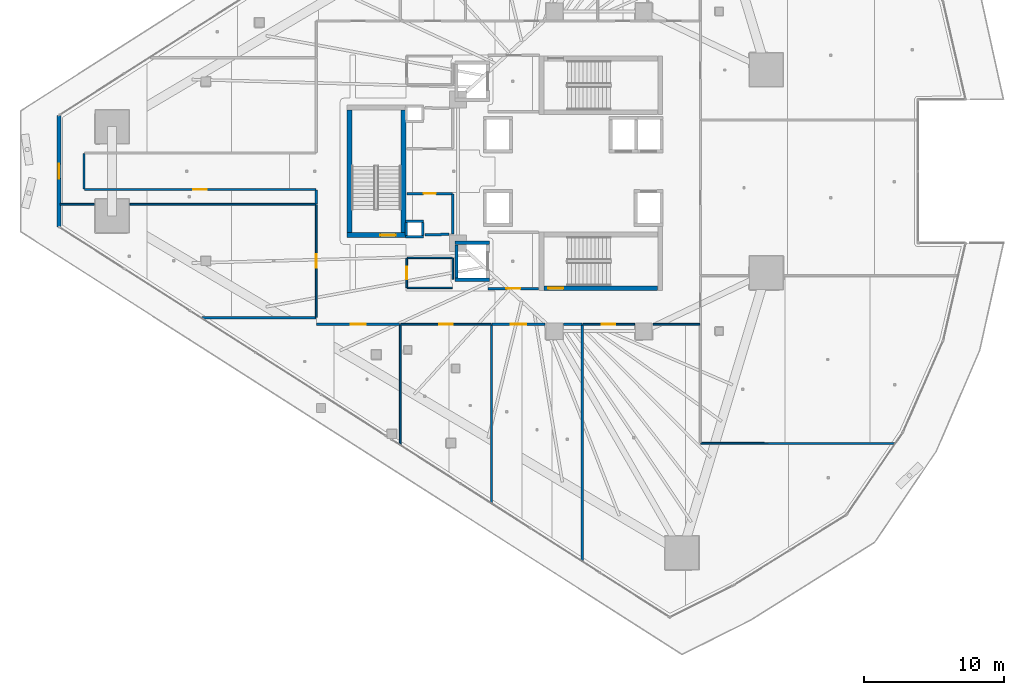
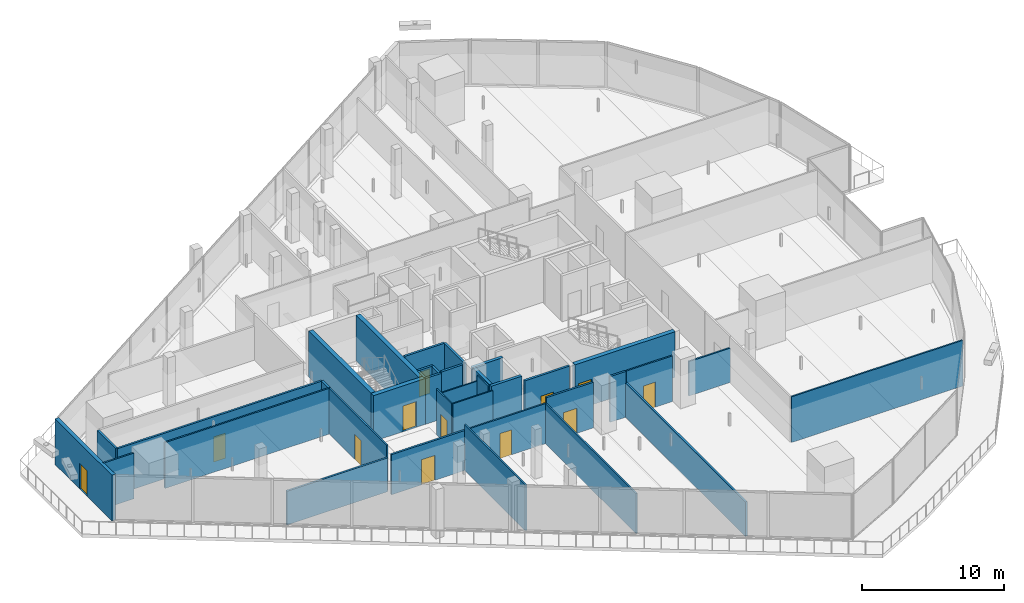
# One storey, part 30 of 46: 37 walls, 12 doors, 12 openings.
"""IFC4 building model written with IfcOpenShell, lengths in metres."""

from ifc_helpers import new_model, si_unit, direction, frame, frame_2d, origin, place, context, subcontext, project, spatial, rectangle, extrude, material, layer, layer_set, type_object, element, fill, save


model = new_model("IFC4")

# Units and contexts
model_context = context("Model", 3, precision=1e-05, world=origin(), true_north=direction((0.0, 1.0)))
body_context = subcontext(model_context, "Body", "Model", "MODEL_VIEW")
ifc_project = project(units=[si_unit("LENGTHUNIT", "METRE"), si_unit("AREAUNIT", "SQUARE_METRE"), si_unit("VOLUMEUNIT", "CUBIC_METRE"), si_unit("PLANEANGLEUNIT", "RADIAN"), si_unit("MASSUNIT", "GRAM", prefix="KILO")], contexts=[model_context])

# Site, building, storey
site_placement = place(None, origin())
site = spatial("IfcSite", under=ifc_project, at=site_placement, CompositionType="ELEMENT")
building_placement = place(site_placement, origin())
building = spatial("IfcBuilding", under=site, at=building_placement, Name="Qorvath Tower", CompositionType="ELEMENT")
storey_placement = place(building_placement, frame((0.0, 0.0, 87.0)))
storey = spatial("IfcBuildingStorey", under=building, at=storey_placement, Name="L19", CompositionType="ELEMENT", Elevation=87.0)

# Walls
ifc_material_1 = material(Name="Gypsum shaftliner on steel studs", Category="steel")
ifc_layer_1 = layer(ifc_material_1, 0.179931640625)
ifc_layer_set_1 = layer_set([ifc_layer_1], Name="FW-LOBBY")
wall_type_1 = type_object("IfcWallType", Name="FW-LOBBY", PredefinedType="PARTITIONING", material=ifc_layer_set_1)
for number, where, z_axis, x_axis, name in (
    (1, (-32.989990234375, -4.675048828125, 0.0), (0.0, 0.0, 1.0), (-1.0, 0.0, 0.0), "MEP Riser Shaft Enclosure Wall S-L19-S"),
    (2, (-34.260009765625, -3.594970703125, 0.0), (0.0, 0.0, 1.0), (1.0, 0.0, 0.0), "MEP Riser Shaft Enclosure Wall S-L19-N"),
):
    element("IfcWall", number, at=place(storey_placement, frame(where, z_axis=z_axis, x_axis=x_axis)), inside=storey, type_object=wall_type_1, Name=name, PredefinedType="PARTITIONING", context=body_context, shape_type="SweptSolid", body=[
        extrude(rectangle(XDim=1.27001953125, YDim=0.179931640625, at=frame_2d((0.635009765625, 0.0))), origin(), (0.0, 0.0, 1.0), 3.919921875),
    ])
for number, where, z_axis, x_axis, name in (
    (3, (-34.205078125, -4.610107421875, 0.0), (0.0, 0.0, 1.0), (0.0, 1.0, 0.0), "MEP Riser Shaft Enclosure Wall S-L19-W"),
    (4, (-33.044921875, -3.659912109375, 0.0), (0.0, 0.0, 1.0), (0.0, -1.0, 0.0), "MEP Riser Shaft Enclosure Wall S-L19-E"),
):
    element("IfcWall", number, at=place(storey_placement, frame(where, z_axis=z_axis, x_axis=x_axis)), inside=storey, type_object=wall_type_1, Name=name, PredefinedType="PARTITIONING", context=body_context, shape_type="SweptSolid", body=[
        extrude(rectangle(XDim=0.9501953125, YDim=0.179931640625, at=frame_2d((0.47509765625, 0.0))), origin(), (0.0, 0.0, 1.0), 3.919921875),
    ])

# Wall, opening, door
wall_1_placement = place(storey_placement, frame((-28.35498046875, -8.39990234375, 0.0), z_axis=(0.0, 0.0, 1.0), x_axis=(1.0, 0.0, 0.0)))
wall_1 = element("IfcWall", 5, at=wall_1_placement, inside=storey, type_object=wall_type_1, Name="Interior Partition IW-T1-L19-003", PredefinedType="PARTITIONING", context=body_context, shape_type="SweptSolid", body=[
    extrude(rectangle(XDim=3.6220703125, YDim=0.179931640625, at=frame_2d((1.81103515625, 0.0))), origin(), (0.0, 0.0, 1.0), 3.919921875),
])
opening_1_placement = place(wall_1_placement, frame((1.31103515625, 0.0, 0.0)))
opening_1 = element("IfcOpeningElement", 6, at=opening_1_placement, cuts=wall_1, Name="Opening D-T1-L19-19", PredefinedType="OPENING", context=body_context, shape_type="SweptSolid", body=[
    extrude(rectangle(XDim=1.0, YDim=2.14990234375, at=frame_2d((0.5, 1.074951171875))), frame((0.0, 0.10009765625, 0.0), z_axis=(0.0, -1.0, 0.0), x_axis=(1.0, 0.0, 0.0)), (0.0, 0.0, 1.0), 0.199951171875),
])
ifc_material_2 = material(Name="Painted galvanised hollow metal", Category="steel")
door_type_1 = type_object("IfcDoorType", Name="FD-60", OperationType="NOTDEFINED", PredefinedType="DOOR", material=ifc_material_2)
door_1_placement = place(opening_1_placement, origin())
door_1 = element("IfcDoor", 7, at=door_1_placement, inside=storey, type_object=door_type_1, Name="Lobby Fire Service Elevator South Door D-T1-L19-19", OperationType="SINGLE_SWING_RIGHT", OverallHeight=2.14990234375, OverallWidth=1.0, PredefinedType="DOOR", context=body_context, shape_type="SweptSolid", body=[
    extrude(rectangle(XDim=1.0, YDim=2.14990234375, at=frame_2d((0.5, 1.074951171875))), frame((0.0, 0.02490234375, 0.0), z_axis=(0.0, -1.0, 0.0), x_axis=(1.0, 0.0, 0.0)), (0.0, 0.0, 1.0), 0.050048828125),
])
fill(opening_1, door_1)

# Walls
wall_2_placement = place(storey_placement, frame((-32.8798828125, -4.5380859375, 0.0), z_axis=(0.0, 0.0, 1.0), x_axis=(0.9999584918, 0.009111239105, 0.0)))
element("IfcWall", 8, at=wall_2_placement, inside=storey, type_object=wall_type_1, Name="Interior Partition IW-T1-L19-016", PredefinedType="PARTITIONING", context=body_context, shape_type="SweptSolid", body=[
    extrude(rectangle(XDim=1.71484375, YDim=0.179931640625, at=frame_2d((0.857421875, 0.0))), origin(), (0.0, 0.0, 1.0), 3.919921875),
])
wall_3_placement = place(storey_placement, frame((-30.8798828125, -4.485107421875, 0.0), z_axis=(0.0, 0.0, 1.0), x_axis=(0.0, 1.0, 0.0)))
element("IfcWall", 9, at=wall_3_placement, inside=storey, type_object=wall_type_1, Name="Interior Partition IW-T1-L19-017", PredefinedType="PARTITIONING", context=body_context, shape_type="SweptSolid", body=[
    extrude(rectangle(XDim=2.860107421875, YDim=0.179931640625, at=frame_2d((1.43017578125, 0.0))), origin(), (0.0, 0.0, 1.0), 3.919921875),
])

# Wall, opening, door
wall_4_placement = place(storey_placement, frame((-30.90478515625, -1.60009765625, 0.0), z_axis=(0.0, 0.0, 1.0), x_axis=(-1.0, 0.0, 0.0)))
wall_4 = element("IfcWall", 10, at=wall_4_placement, inside=storey, type_object=wall_type_1, Name="Interior Partition IW-T1-L19-018", PredefinedType="PARTITIONING", context=body_context, shape_type="SweptSolid", body=[
    extrude(rectangle(XDim=3.25, YDim=0.179931640625, at=frame_2d((1.625, 0.0))), origin(), (0.0, 0.0, 1.0), 3.919921875),
])
opening_2_placement = place(wall_4_placement, frame((1.18505859375, 0.0, 0.0)))
opening_2 = element("IfcOpeningElement", 11, at=opening_2_placement, cuts=wall_4, Name="Opening D-T1-L19-04", PredefinedType="OPENING", context=body_context, shape_type="SweptSolid", body=[
    extrude(rectangle(XDim=0.8798828125, YDim=2.10009765625, at=frame_2d((0.43994140625, 1.050048828125))), frame((0.0, 0.10009765625, 0.0), z_axis=(0.0, -1.0, 0.0), x_axis=(1.0, 0.0, 0.0)), (0.0, 0.0, 1.0), 0.199951171875),
])
ifc_material_3 = material(Name="Painted galvanised hollow metal", Category="steel")
door_type_2 = type_object("IfcDoorType", Name="FD-60N", OperationType="NOTDEFINED", PredefinedType="DOOR", material=ifc_material_3)
door_2_placement = place(opening_2_placement, origin())
door_2 = element("IfcDoor", 12, at=door_2_placement, inside=storey, type_object=door_type_2, Name="Core housekeeping store L19 Door D-T1-L19-04", OperationType="SINGLE_SWING_LEFT", OverallHeight=2.10009765625, OverallWidth=0.8798828125, PredefinedType="DOOR", context=body_context, shape_type="SweptSolid", body=[
    extrude(rectangle(XDim=0.8798828125, YDim=2.10009765625, at=frame_2d((0.43994140625, 1.050048828125))), frame((0.0, 0.02490234375, 0.0), z_axis=(0.0, -1.0, 0.0), x_axis=(1.0, 0.0, 0.0)), (0.0, 0.0, 1.0), 0.050048828125),
])
fill(opening_2, door_2)

ifc_material_4 = material(Name="Double acoustic gypsum board on steel studs", Category="steel")
ifc_layer_2 = layer(ifc_material_4, 0.159912109375)
ifc_layer_set_2 = layer_set([ifc_layer_2], Name="IW-ACOUSTIC-160")
wall_type_2 = type_object("IfcWallType", Name="IW-ACOUSTIC-160", PredefinedType="PARTITIONING", material=ifc_layer_set_2)
wall_5_placement = place(storey_placement, frame((-24.264892578125, -10.9580078125, 0.0), z_axis=(0.0, 0.0, 1.0), x_axis=(-1.0, 0.0, 0.0)))
wall_5 = element("IfcWall", 13, at=wall_5_placement, inside=storey, type_object=wall_type_2, Name="Interior Partition IW-T1-L19-034", PredefinedType="PARTITIONING", context=body_context, shape_type="SweptSolid", body=[
    extrude(rectangle(XDim=3.803955078125, YDim=0.159912109375, at=frame_2d((1.90185546875, 0.0))), origin(), (0.0, 0.0, 1.0), 3.919921875),
])
opening_3_placement = place(wall_5_placement, frame((1.35205078125, 0.0, 0.0)))
opening_3 = element("IfcOpeningElement", 14, at=opening_3_placement, cuts=wall_5, Name="Opening D-T1-L19-10", PredefinedType="OPENING", context=body_context, shape_type="SweptSolid", body=[
    extrude(rectangle(XDim=1.10009765625, YDim=2.14990234375, at=frame_2d((0.550048828125, 1.074951171875))), frame((0.0, 0.08984375, 0.0), z_axis=(0.0, -1.0, 0.0), x_axis=(1.0, 0.0, 0.0)), (0.0, 0.0, 1.0), 0.179931640625),
])
ifc_material_5 = material(Name="Anodised aluminium acoustic framed glass", Category="aluminium")
door_type_3 = type_object("IfcDoorType", Name="D-03", OperationType="NOTDEFINED", PredefinedType="DOOR", material=ifc_material_5)
door_3_placement = place(opening_3_placement, origin())
door_3 = element("IfcDoor", 15, at=door_3_placement, inside=storey, type_object=door_type_3, Name="L19-06 Digital Visualization Suite Door D-T1-L19-10", OperationType="SINGLE_SWING_LEFT", OverallHeight=2.14990234375, OverallWidth=1.10009765625, PredefinedType="DOOR", context=body_context, shape_type="SweptSolid", body=[
    extrude(rectangle(XDim=1.10009765625, YDim=2.14990234375, at=frame_2d((0.550048828125, 1.074951171875))), frame((0.0, 0.02490234375, 0.0), z_axis=(0.0, -1.0, 0.0), x_axis=(1.0, 0.0, 0.0)), (0.0, 0.0, 1.0), 0.050048828125),
])
fill(opening_3, door_3)

# Walls
wall_6_placement = place(storey_placement, frame((-21.606201171875, -27.8740234375, 0.0), z_axis=(0.0, 0.0, 1.0), x_axis=(0.0, 1.0, 0.0)))
element("IfcWall", 16, at=wall_6_placement, inside=storey, type_object=wall_type_2, Name="Interior Partition IW-T1-L19-035", PredefinedType="PARTITIONING", context=body_context, shape_type="SweptSolid", body=[
    extrude(rectangle(XDim=16.89111328125, YDim=0.159912109375, at=frame_2d((8.445556640625, 0.0))), origin(), (0.0, 0.0, 1.0), 2.956787109375),
])
wall_7_placement = place(storey_placement, frame((-21.631103515625, -10.9580078125, 0.0), z_axis=(0.0, 0.0, 1.0), x_axis=(-1.0, 0.0, 0.0)))
element("IfcWall", 17, at=wall_7_placement, inside=storey, type_object=wall_type_2, Name="Interior Partition IW-T1-L19-036", PredefinedType="PARTITIONING", context=body_context, shape_type="SweptSolid", body=[
    extrude(rectangle(XDim=1.303955078125, YDim=0.159912109375, at=frame_2d((0.65185546875, 0.0))), origin(), (0.0, 0.0, 1.0), 3.919921875),
])

# Wall, opening, door
wall_8_placement = place(storey_placement, frame((-34.68310546875, -10.9580078125, 0.0), z_axis=(0.0, 0.0, 1.0), x_axis=(-1.0, 0.0, 0.0)))
wall_8 = element("IfcWall", 18, at=wall_8_placement, inside=storey, type_object=wall_type_2, Name="Interior Partition IW-T1-L19-047", PredefinedType="PARTITIONING", context=body_context, shape_type="SweptSolid", body=[
    extrude(rectangle(XDim=5.949951171875, YDim=0.159912109375, at=frame_2d((2.97509765625, 0.0))), origin(), (0.0, 0.0, 1.0), 3.432861328125),
])
opening_4_placement = place(wall_8_placement, frame((2.425048828125, 0.0, 0.0)))
opening_4 = element("IfcOpeningElement", 19, at=opening_4_placement, cuts=wall_8, Name="Opening D-T1-L19-20", PredefinedType="OPENING", context=body_context, shape_type="SweptSolid", body=[
    extrude(rectangle(XDim=1.10009765625, YDim=2.14990234375, at=frame_2d((0.550048828125, 1.074951171875))), frame((0.0, 0.08984375, 0.0), z_axis=(0.0, -1.0, 0.0), x_axis=(1.0, 0.0, 0.0)), (0.0, 0.0, 1.0), 0.179931640625),
])
door_4_placement = place(opening_4_placement, origin())
door_4 = element("IfcDoor", 20, at=door_4_placement, inside=storey, type_object=door_type_3, Name="L19-11 Client Services Office Door D-T1-L19-20", OperationType="SINGLE_SWING_LEFT", OverallHeight=2.14990234375, OverallWidth=1.10009765625, PredefinedType="DOOR", context=body_context, shape_type="SweptSolid", body=[
    extrude(rectangle(XDim=1.10009765625, YDim=2.14990234375, at=frame_2d((0.550048828125, 1.074951171875))), frame((0.0, 0.02490234375, 0.0), z_axis=(0.0, -1.0, 0.0), x_axis=(1.0, 0.0, 0.0)), (0.0, 0.0, 1.0), 0.050048828125),
])
fill(opening_4, door_4)

# Walls
wall_9_placement = place(storey_placement, frame((-40.68310546875, -10.493896484375, 0.0), z_axis=(0.0, 0.0, 1.0), x_axis=(-1.0, 0.0, 0.0)))
element("IfcWall", 21, at=wall_9_placement, inside=storey, type_object=wall_type_2, Name="Interior Partition IW-T1-L19-048", PredefinedType="PARTITIONING", context=body_context, shape_type="SweptSolid", body=[
    extrude(rectangle(XDim=8.16162109375, YDim=0.159912109375, at=frame_2d((4.080810546875, 0.0))), origin(), (0.0, 0.0, 1.0), 2.889892578125),
])
wall_10_placement = place(storey_placement, frame((-40.657958984375, -2.32666015625, 0.0), z_axis=(0.0, 0.0, 1.0), x_axis=(0.0, 1.0, 0.0)))
element("IfcWall", 22, at=wall_10_placement, inside=storey, type_object=wall_type_2, Name="Interior Partition IW-T1-L19-052", PredefinedType="PARTITIONING", context=body_context, shape_type="SweptSolid", body=[
    extrude(rectangle(XDim=0.99365234375, YDim=0.159912109375, at=frame_2d((0.496826171875, 0.0))), origin(), (0.0, 0.0, 1.0), 3.919921875),
])

# Wall, opening, door
wall_11_placement = place(storey_placement, frame((-57.277587890625, -1.30810546875, 0.0), z_axis=(0.0, 0.0, 1.0), x_axis=(1.0, 0.0, 0.0)))
wall_11 = element("IfcWall", 23, at=wall_11_placement, inside=storey, type_object=wall_type_2, Name="Interior Partition IW-T1-L19-053", PredefinedType="PARTITIONING", context=body_context, shape_type="SweptSolid", body=[
    extrude(rectangle(XDim=16.594482421875, YDim=0.159912109375, at=frame_2d((8.29736328125, 0.0))), origin(), (0.0, 0.0, 1.0), 3.919921875),
])
opening_5_placement = place(wall_11_placement, frame((7.822265625, 0.0, 0.0)))
opening_5 = element("IfcOpeningElement", 24, at=opening_5_placement, cuts=wall_11, Name="Opening D-T1-L19-16", PredefinedType="OPENING", context=body_context, shape_type="SweptSolid", body=[
    extrude(rectangle(XDim=0.949951171875, YDim=2.14990234375, at=frame_2d((0.47509765625, 1.074951171875))), frame((0.0, 0.08984375, 0.0), z_axis=(0.0, -1.0, 0.0), x_axis=(1.0, 0.0, 0.0)), (0.0, 0.0, 1.0), 0.179931640625),
])
ifc_material_6 = material(Name="Solid-core American white oak veneer", Category="wood")
door_type_4 = type_object("IfcDoorType", Name="D-01", OperationType="NOTDEFINED", PredefinedType="DOOR", material=ifc_material_6)
door_5_placement = place(opening_5_placement, origin())
door_5 = element("IfcDoor", 25, at=door_5_placement, inside=storey, type_object=door_type_4, Name="L19-13 Staff Wellness Studio Door D-T1-L19-16", OperationType="SINGLE_SWING_LEFT", OverallHeight=2.14990234375, OverallWidth=0.949951171875, PredefinedType="DOOR", context=body_context, shape_type="SweptSolid", body=[
    extrude(rectangle(XDim=0.949951171875, YDim=2.14990234375, at=frame_2d((0.47509765625, 1.074951171875))), frame((0.0, 0.02490234375, 0.0), z_axis=(0.0, -1.0, 0.0), x_axis=(1.0, 0.0, 0.0)), (0.0, 0.0, 1.0), 0.050048828125),
])
fill(opening_5, door_5)

# Wall
wall_12_placement = place(storey_placement, frame((-57.302490234375, 1.283203125, 0.0), z_axis=(0.0, 0.0, 1.0), x_axis=(0.0, -1.0, 0.0)))
element("IfcWall", 26, at=wall_12_placement, inside=storey, type_object=wall_type_2, Name="Interior Partition IW-T1-L19-054", PredefinedType="PARTITIONING", context=body_context, shape_type="SweptSolid", body=[
    extrude(rectangle(XDim=2.56640625, YDim=0.159912109375, at=frame_2d((1.283203125, 0.0))), origin(), (0.0, 0.0, 1.0), 3.919921875),
])

# Wall, opening, door
ifc_material_7 = material(Name="Gypsum board on metal studs with mineral wool", Category="gypsum")
ifc_layer_3 = layer(ifc_material_7, 0.125)
ifc_layer_set_3 = layer_set([ifc_layer_3], Name="IW-PART-125")
wall_type_3 = type_object("IfcWallType", Name="IW-PART-125", PredefinedType="PARTITIONING", material=ifc_layer_set_3)
wall_13_placement = place(storey_placement, frame((-28.126708984375, -10.9580078125, 0.0), z_axis=(0.0, 0.0, 1.0), x_axis=(-1.0, 0.0, 0.0)))
wall_13 = element("IfcWall", 27, at=wall_13_placement, inside=storey, type_object=wall_type_3, Name="Interior Partition IW-T1-L19-031", PredefinedType="PARTITIONING", context=body_context, shape_type="SweptSolid", body=[
    extrude(rectangle(XDim=6.498291015625, YDim=0.125, at=frame_2d((3.2490234375, 0.0))), origin(), (0.0, 0.0, 1.0), 3.432861328125),
])
opening_6_placement = place(wall_13_placement, frame((2.774169921875, 0.0, 0.0)))
opening_6 = element("IfcOpeningElement", 28, at=opening_6_placement, cuts=wall_13, Name="Opening D-T1-L19-09", PredefinedType="OPENING", context=body_context, shape_type="SweptSolid", body=[
    extrude(rectangle(XDim=0.949951171875, YDim=2.14990234375, at=frame_2d((0.47509765625, 1.074951171875))), frame((0.0, 0.072509765625, 0.0), z_axis=(0.0, -1.0, 0.0), x_axis=(1.0, 0.0, 0.0)), (0.0, 0.0, 1.0), 0.14501953125),
])
door_6_placement = place(opening_6_placement, origin())
door_6 = element("IfcDoor", 29, at=door_6_placement, inside=storey, type_object=door_type_4, Name="L19-05 Breakout Reading Alcove Door D-T1-L19-09", OperationType="SINGLE_SWING_RIGHT", OverallHeight=2.14990234375, OverallWidth=0.949951171875, PredefinedType="DOOR", context=body_context, shape_type="SweptSolid", body=[
    extrude(rectangle(XDim=0.949951171875, YDim=2.14990234375, at=frame_2d((0.47509765625, 1.074951171875))), frame((0.0, 0.02490234375, 0.0), z_axis=(0.0, -1.0, 0.0), x_axis=(1.0, 0.0, 0.0)), (0.0, 0.0, 1.0), 0.050048828125),
])
fill(opening_6, door_6)

# Walls
wall_14_placement = place(storey_placement, frame((-34.64990234375, -10.98291015625, 0.0), z_axis=(0.0, 0.0, 1.0), x_axis=(0.0, -1.0, 0.0)))
element("IfcWall", 30, at=wall_14_placement, inside=storey, type_object=wall_type_3, Name="Interior Partition IW-T1-L19-032", PredefinedType="PARTITIONING", context=body_context, shape_type="SweptSolid", body=[
    extrude(rectangle(XDim=8.554443359375, YDim=0.125, at=frame_2d((4.27734375, 0.0))), origin(), (0.0, 0.0, 1.0), 3.919921875),
])
wall_15_placement = place(storey_placement, frame((-28.101806640625, -23.722412109375, 0.0), z_axis=(0.0, 0.0, 1.0), x_axis=(0.0, 1.0, 0.0)))
element("IfcWall", 31, at=wall_15_placement, inside=storey, type_object=wall_type_3, Name="Interior Partition IW-T1-L19-033", PredefinedType="PARTITIONING", context=body_context, shape_type="SweptSolid", body=[
    extrude(rectangle(XDim=12.739501953125, YDim=0.125, at=frame_2d((6.36962890625, 0.0))), origin(), (0.0, 0.0, 1.0), 3.432861328125),
])
wall_16_placement = place(storey_placement, frame((0.7373046875, -19.499755859375, 0.0), z_axis=(0.0, 0.0, 1.0), x_axis=(-0.999999303809, 0.001179992134, 0.0)))
element("IfcWall", 32, at=wall_16_placement, inside=storey, type_object=wall_type_3, Name="Interior Partition IW-T1-L19-037", PredefinedType="PARTITIONING", context=body_context, shape_type="SweptSolid", body=[
    extrude(rectangle(XDim=13.8623046875, YDim=0.125, at=frame_2d((6.93115234375, 0.0))), origin(), (0.0, 0.0, 1.0), 3.919921875),
])
wall_17_placement = place(storey_placement, frame((-13.1748046875, -10.9580078125, 0.0), z_axis=(0.0, 0.0, 1.0), x_axis=(-1.0, 0.0, 0.0)))
element("IfcWall", 33, at=wall_17_placement, inside=storey, type_object=wall_type_3, Name="Interior Partition IW-T1-L19-039", PredefinedType="PARTITIONING", context=body_context, shape_type="SweptSolid", body=[
    extrude(rectangle(XDim=3.360107421875, YDim=0.125, at=frame_2d((1.68017578125, 0.0))), origin(), (0.0, 0.0, 1.0), 2.956787109375),
])

# Wall, opening, door
wall_18_placement = place(storey_placement, frame((-17.864990234375, -10.9580078125, 0.0), z_axis=(0.0, 0.0, 1.0), x_axis=(-1.0, 0.0, 0.0)))
wall_18 = element("IfcWall", 34, at=wall_18_placement, inside=storey, type_object=wall_type_3, Name="Interior Partition IW-T1-L19-040", PredefinedType="PARTITIONING", context=body_context, shape_type="SweptSolid", body=[
    extrude(rectangle(XDim=3.70849609375, YDim=0.125, at=frame_2d((1.854248046875, 0.0))), origin(), (0.0, 0.0, 1.0), 3.919921875),
])
opening_7_placement = place(wall_18_placement, frame((1.379150390625, 0.0, 0.0)))
opening_7 = element("IfcOpeningElement", 35, at=opening_7_placement, cuts=wall_18, Name="Opening D-T1-L19-11", PredefinedType="OPENING", context=body_context, shape_type="SweptSolid", body=[
    extrude(rectangle(XDim=0.949951171875, YDim=2.14990234375, at=frame_2d((0.47509765625, 1.074951171875))), frame((0.0, 0.072509765625, 0.0), z_axis=(0.0, -1.0, 0.0), x_axis=(1.0, 0.0, 0.0)), (0.0, 0.0, 1.0), 0.14501953125),
])
door_7_placement = place(opening_7_placement, origin())
door_7 = element("IfcDoor", 36, at=door_7_placement, inside=storey, type_object=door_type_4, Name="L19-07 Quantitative Research Studio Door D-T1-L19-11", OperationType="SINGLE_SWING_RIGHT", OverallHeight=2.14990234375, OverallWidth=0.949951171875, PredefinedType="DOOR", context=body_context, shape_type="SweptSolid", body=[
    extrude(rectangle(XDim=0.949951171875, YDim=2.14990234375, at=frame_2d((0.47509765625, 1.074951171875))), frame((0.0, 0.02490234375, 0.0), z_axis=(0.0, -1.0, 0.0), x_axis=(1.0, 0.0, 0.0)), (0.0, 0.0, 1.0), 0.050048828125),
])
fill(opening_7, door_7)

wall_19_placement = place(storey_placement, frame((-40.657958984375, -10.460693359375, 0.0), z_axis=(0.0, 0.0, 1.0), x_axis=(0.0, 1.0, 0.0)))
wall_19 = element("IfcWall", 37, at=wall_19_placement, inside=storey, type_object=wall_type_3, Name="Interior Partition IW-T1-L19-049", PredefinedType="PARTITIONING", context=body_context, shape_type="SweptSolid", body=[
    extrude(rectangle(XDim=8.076171875, YDim=0.125, at=frame_2d((4.0380859375, 0.0))), origin(), (0.0, 0.0, 1.0), 3.919921875),
])
opening_8_placement = place(wall_19_placement, frame((3.56298828125, 0.0, 0.0)))
opening_8 = element("IfcOpeningElement", 38, at=opening_8_placement, cuts=wall_19, Name="Opening D-T1-L19-15", PredefinedType="OPENING", context=body_context, shape_type="SweptSolid", body=[
    extrude(rectangle(XDim=0.949951171875, YDim=2.14990234375, at=frame_2d((0.47509765625, 1.074951171875))), frame((0.0, 0.072509765625, 0.0), z_axis=(0.0, -1.0, 0.0), x_axis=(1.0, 0.0, 0.0)), (0.0, 0.0, 1.0), 0.14501953125),
])
door_8_placement = place(opening_8_placement, origin())
door_8 = element("IfcDoor", 39, at=door_8_placement, inside=storey, type_object=door_type_4, Name="L19-12 Project Collaboration Workspace Door D-T1-L19-15", OperationType="SINGLE_SWING_RIGHT", OverallHeight=2.14990234375, OverallWidth=0.949951171875, PredefinedType="DOOR", context=body_context, shape_type="SweptSolid", body=[
    extrude(rectangle(XDim=0.949951171875, YDim=2.14990234375, at=frame_2d((0.47509765625, 1.074951171875))), frame((0.0, 0.02490234375, 0.0), z_axis=(0.0, -1.0, 0.0), x_axis=(1.0, 0.0, 0.0)), (0.0, 0.0, 1.0), 0.050048828125),
])
fill(opening_8, door_8)

# Walls
wall_20_placement = place(storey_placement, frame((-40.68310546875, -2.359619140625, 0.0), z_axis=(0.0, 0.0, 1.0), x_axis=(-1.0, 0.0, 0.0)))
element("IfcWall", 40, at=wall_20_placement, inside=storey, type_object=wall_type_3, Name="Interior Partition IW-T1-L19-050", PredefinedType="PARTITIONING", context=body_context, shape_type="SweptSolid", body=[
    extrude(rectangle(XDim=13.334716796875, YDim=0.125, at=frame_2d((6.66748046875, 0.0))), origin(), (0.0, 0.0, 1.0), 3.919921875),
])
wall_21_placement = place(storey_placement, frame((-56.5478515625, -2.359619140625, 0.0), z_axis=(0.0, 0.0, 1.0), x_axis=(-1.0, 0.0, 0.0)))
element("IfcWall", 41, at=wall_21_placement, inside=storey, type_object=wall_type_3, Name="Interior Partition IW-T1-L19-051", PredefinedType="PARTITIONING", context=body_context, shape_type="SweptSolid", body=[
    extrude(rectangle(XDim=2.466552734375, YDim=0.125, at=frame_2d((1.2333984375, 0.0))), origin(), (0.0, 0.0, 1.0), 3.919921875),
])

# Wall, opening, door
ifc_material_8 = material(Name="Moisture-resistant cement board on metal studs", Category="gypsum")
ifc_layer_4 = layer(ifc_material_8, 0.110107421875)
ifc_layer_set_4 = layer_set([ifc_layer_4], Name="IW-WC-110")
wall_type_4 = type_object("IfcWallType", Name="IW-WC-110", PredefinedType="PARTITIONING", material=ifc_layer_set_4)
wall_22_placement = place(storey_placement, frame((-34.179931640625, -6.22509765625, 0.0), z_axis=(0.0, 0.0, 1.0), x_axis=(0.0, -1.0, 0.0)))
wall_22 = element("IfcWall", 42, at=wall_22_placement, inside=storey, type_object=wall_type_4, Name="Interior Partition IW-T1-L19-009", PredefinedType="PARTITIONING", context=body_context, shape_type="SweptSolid", body=[
    extrude(rectangle(XDim=2.10009765625, YDim=0.110107421875, at=frame_2d((1.050048828125, 0.0))), origin(), (0.0, 0.0, 1.0), 3.919921875),
])
opening_9_placement = place(wall_22_placement, frame((0.610107421875, 0.0, 0.0)))
opening_9 = element("IfcOpeningElement", 43, at=opening_9_placement, cuts=wall_22, Name="Opening D-T1-L19-02", PredefinedType="OPENING", context=body_context, shape_type="SweptSolid", body=[
    extrude(rectangle(XDim=0.8798828125, YDim=2.10009765625, at=frame_2d((0.43994140625, 1.050048828125))), frame((0.0, 0.06494140625, 0.0), z_axis=(0.0, -1.0, 0.0), x_axis=(1.0, 0.0, 0.0)), (0.0, 0.0, 1.0), 0.130126953125),
])
ifc_material_9 = material(Name="Solid-core oak with acoustic drop seal", Category="wood")
door_type_5 = type_object("IfcDoorType", Name="D-02", OperationType="NOTDEFINED", PredefinedType="DOOR", material=ifc_material_9)
door_9_placement = place(opening_9_placement, origin())
door_9 = element("IfcDoor", 44, at=door_9_placement, inside=storey, type_object=door_type_5, Name="Accessible WC South L19 Door D-T1-L19-02", OperationType="SINGLE_SWING_LEFT", OverallHeight=2.10009765625, OverallWidth=0.8798828125, PredefinedType="DOOR", context=body_context, shape_type="SweptSolid", body=[
    extrude(rectangle(XDim=0.8798828125, YDim=2.10009765625, at=frame_2d((0.43994140625, 1.050048828125))), frame((0.0, 0.02490234375, 0.0), z_axis=(0.0, -1.0, 0.0), x_axis=(1.0, 0.0, 0.0)), (0.0, 0.0, 1.0), 0.050048828125),
])
fill(opening_9, door_9)

# Walls
wall_23_placement = place(storey_placement, frame((-34.15478515625, -8.35009765625, 0.0), z_axis=(0.0, 0.0, 1.0), x_axis=(1.0, 0.0, 0.0)))
element("IfcWall", 45, at=wall_23_placement, inside=storey, type_object=wall_type_4, Name="Interior Partition IW-T1-L19-010", PredefinedType="PARTITIONING", context=body_context, shape_type="SweptSolid", body=[
    extrude(rectangle(XDim=3.25, YDim=0.110107421875, at=frame_2d((1.625, 0.0))), origin(), (0.0, 0.0, 1.0), 3.919921875),
])
wall_24_placement = place(storey_placement, frame((-30.8798828125, -7.742919921875, 0.0), z_axis=(0.0, 0.0, 1.0), x_axis=(0.0, 1.0, 0.0)))
element("IfcWall", 46, at=wall_24_placement, inside=storey, type_object=wall_type_4, Name="Interior Partition IW-T1-L19-011", PredefinedType="PARTITIONING", context=body_context, shape_type="SweptSolid", body=[
    extrude(rectangle(XDim=1.517822265625, YDim=0.110107421875, at=frame_2d((0.7587890625, 0.0))), origin(), (0.0, 0.0, 1.0), 3.919921875),
])
wall_25_placement = place(storey_placement, frame((-30.90478515625, -6.199951171875, 0.0), z_axis=(0.0, 0.0, 1.0), x_axis=(-1.0, 0.0, 0.0)))
element("IfcWall", 47, at=wall_25_placement, inside=storey, type_object=wall_type_4, Name="Interior Partition IW-T1-L19-012", PredefinedType="PARTITIONING", context=body_context, shape_type="SweptSolid", body=[
    extrude(rectangle(XDim=3.25, YDim=0.110107421875, at=frame_2d((1.625, 0.0))), origin(), (0.0, 0.0, 1.0), 3.432861328125),
])
ifc_material_10 = material(Name="Concrete C60/75", Category="concrete")
ifc_layer_5 = layer(ifc_material_10, 0.260009765625)
ifc_layer_set_5 = layer_set([ifc_layer_5], Name="SW-SHAFT")
wall_type_5 = type_object("IfcWallType", Name="SW-SHAFT", PredefinedType="SHEAR", material=ifc_layer_set_5)
for number, where, z_axis, x_axis, name in (
    (48, (-28.260009765625, -7.77001953125, 0.0), (0.0, 0.0, 1.0), (-1.0, 0.0, 0.0), "Hoistway Wall FSAE-2 L19 S"),
    (49, (-30.739990234375, -5.1298828125, 0.0), (0.0, 0.0, 1.0), (1.0, 0.0, 0.0), "Hoistway Wall FSAE-2 L19 N"),
):
    element("IfcWall", number, at=place(storey_placement, frame(where, z_axis=z_axis, x_axis=x_axis)), inside=storey, type_object=wall_type_5, Name=name, PredefinedType="SHEAR", context=body_context, shape_type="SweptSolid", body=[
        extrude(rectangle(XDim=2.47998046875, YDim=0.239990234375, at=frame_2d((1.239990234375, 0.0))), origin(), (0.0, 0.0, 1.0), 3.919921875),
    ])
wall_26_placement = place(storey_placement, frame((-30.6201171875, -7.637939453125, 0.0), z_axis=(0.0, 0.0, 1.0), x_axis=(0.0, 1.0, 0.0)))
element("IfcWall", 50, at=wall_26_placement, inside=storey, type_object=wall_type_5, Name="Hoistway Wall FSAE-2 L19 W", PredefinedType="SHEAR", context=body_context, shape_type="SweptSolid", body=[
    extrude(rectangle(XDim=2.3759765625, YDim=0.239990234375, at=frame_2d((1.18798828125, 0.0))), origin(), (0.0, 0.0, 1.0), 3.919921875),
])

# Wall, opening, door
ifc_material_11 = material(Name="Concrete C60/75", Category="concrete")
ifc_layer_6 = layer(ifc_material_11, 0.35009765625)
ifc_layer_set_6 = layer_set([ifc_layer_6], Name="SW-STAIR")
wall_type_6 = type_object("IfcWallType", Name="SW-STAIR", PredefinedType="SHEAR", material=ifc_layer_set_6)
wall_27_placement = place(storey_placement, frame((-24.3349609375, -8.375, 0.0), z_axis=(0.0, 0.0, 1.0), x_axis=(1.0, 0.0, 0.0)))
wall_27 = element("IfcWall", 51, at=wall_27_placement, inside=storey, type_object=wall_type_6, Name="Stair TS2 Shear Wall L19 LEFT", PredefinedType="SHEAR", context=body_context, shape_type="SweptSolid", body=[
    extrude(rectangle(XDim=8.119873046875, YDim=0.35009765625, at=frame_2d((4.06005859375, 0.0))), origin(), (0.0, 0.0, 1.0), 3.919921875),
])
opening_10_placement = place(wall_27_placement, frame((0.280029296875, 0.0, 0.0)))
opening_10 = element("IfcOpeningElement", 52, at=opening_10_placement, cuts=wall_27, Name="Opening D-TS2-L19", PredefinedType="OPENING", context=body_context, shape_type="SweptSolid", body=[
    extrude(rectangle(XDim=1.10009765625, YDim=2.199951171875, at=frame_2d((0.550048828125, 1.10009765625))), frame((0.0, 0.18505859375, 0.0), z_axis=(0.0, -1.0, 0.0), x_axis=(1.0, 0.0, 0.0)), (0.0, 0.0, 1.0), 0.3701171875),
])
ifc_material_12 = material(Name="Painted galvanised hollow metal", Category="steel")
door_type_6 = type_object("IfcDoorType", Name="FD-90", OperationType="NOTDEFINED", PredefinedType="DOOR", material=ifc_material_12)
door_10_placement = place(opening_10_placement, origin())
door_10 = element("IfcDoor", 53, at=door_10_placement, inside=storey, type_object=door_type_6, Name="Stair TS2 Fire Door L19", OperationType="SINGLE_SWING_RIGHT", OverallHeight=2.199951171875, OverallWidth=1.10009765625, PredefinedType="DOOR", context=body_context, shape_type="SweptSolid", body=[
    extrude(rectangle(XDim=1.10009765625, YDim=2.199951171875, at=frame_2d((0.550048828125, 1.10009765625))), frame((0.0, 0.02490234375, 0.0), z_axis=(0.0, -1.0, 0.0), x_axis=(1.0, 0.0, 0.0)), (0.0, 0.0, 1.0), 0.050048828125),
])
fill(opening_10, door_10)

wall_28_placement = place(storey_placement, frame((-38.4599609375, -4.574951171875, 0.0), z_axis=(0.0, 0.0, 1.0), x_axis=(1.0, 0.0, 0.0)))
wall_28 = element("IfcWall", 54, at=wall_28_placement, inside=storey, type_object=wall_type_6, Name="Stair TS3 Shear Wall L19 NEAR", PredefinedType="SHEAR", context=body_context, shape_type="SweptSolid", body=[
    extrude(rectangle(XDim=4.2099609375, YDim=0.35009765625, at=frame_2d((2.10498046875, 0.0))), origin(), (0.0, 0.0, 1.0), 3.919921875),
])
opening_11_placement = place(wall_28_placement, frame((2.389892578125, 0.0, 0.0)))
opening_11 = element("IfcOpeningElement", 55, at=opening_11_placement, cuts=wall_28, Name="Opening D-TS3-L19", PredefinedType="OPENING", context=body_context, shape_type="SweptSolid", body=[
    extrude(rectangle(XDim=1.10009765625, YDim=2.199951171875, at=frame_2d((0.550048828125, 1.10009765625))), frame((0.0, 0.18505859375, 0.0), z_axis=(0.0, -1.0, 0.0), x_axis=(1.0, 0.0, 0.0)), (0.0, 0.0, 1.0), 0.3701171875),
])
door_11_placement = place(opening_11_placement, origin())
door_11 = element("IfcDoor", 56, at=door_11_placement, inside=storey, type_object=door_type_6, Name="Stair TS3 Fire Door L19", OperationType="SINGLE_SWING_RIGHT", OverallHeight=2.199951171875, OverallWidth=1.10009765625, PredefinedType="DOOR", context=body_context, shape_type="SweptSolid", body=[
    extrude(rectangle(XDim=1.10009765625, YDim=2.199951171875, at=frame_2d((0.550048828125, 1.10009765625))), frame((0.0, 0.02490234375, 0.0), z_axis=(0.0, -1.0, 0.0), x_axis=(1.0, 0.0, 0.0)), (0.0, 0.0, 1.0), 0.050048828125),
])
fill(opening_11, door_11)

# Walls
for number, where, z_axis, x_axis, name in (
    (57, (-34.425048828125, -4.385009765625, 0.0), (0.0, 0.0, 1.0), (0.0, 1.0, 0.0), "Stair TS3 Shear Wall L19 LEFT"),
    (58, (-38.284912109375, 4.385009765625, 0.0), (0.0, 0.0, 1.0), (0.0, -1.0, 0.0), "Stair TS3 Shear Wall L19 RIGHT"),
):
    element("IfcWall", number, at=place(storey_placement, frame(where, z_axis=z_axis, x_axis=x_axis)), inside=storey, type_object=wall_type_6, Name=name, PredefinedType="SHEAR", context=body_context, shape_type="SweptSolid", body=[
        extrude(rectangle(XDim=8.77001953125, YDim=0.35009765625, at=frame_2d((4.385009765625, 0.0))), origin(), (0.0, 0.0, 1.0), 3.919921875),
    ])

# Wall, opening, door
ifc_material_13 = material(Name="Precast concrete C45/55", Category="concrete")
ifc_layer_7 = layer(ifc_material_13, 0.300048828125)
ifc_layer_set_7 = layer_set([ifc_layer_7], Name="WL-EW-LOG-300")
wall_type_7 = type_object("IfcWallType", Name="WL-EW-LOG-300", PredefinedType="SOLIDWALL", material=ifc_layer_set_7)
wall_29_placement = place(storey_placement, frame((-59.094482421875, -3.994140625, 0.0), z_axis=(0.0, 0.0, 1.0), x_axis=(0.0, 1.0, 0.0)))
wall_29 = element("IfcWall", 59, at=wall_29_placement, inside=storey, type_object=wall_type_7, Name="Tower Precast Loggia Wall L19-1.1", PredefinedType="SOLIDWALL", context=body_context, shape_type="SweptSolid", body=[
    extrude(rectangle(XDim=7.98828125, YDim=0.300048828125, at=frame_2d((3.994140625, 0.0))), origin(), (0.0, 0.0, 1.0), 3.919921875),
])
opening_12_placement = place(wall_29_placement, frame((3.468994140625, 0.0, 0.0)))
opening_12 = element("IfcOpeningElement", 60, at=opening_12_placement, cuts=wall_29, Name="Opening ED-L19-01", PredefinedType="OPENING", context=body_context, shape_type="SweptSolid", body=[
    extrude(rectangle(XDim=1.050048828125, YDim=2.199951171875, at=frame_2d((0.52490234375, 1.10009765625))), frame((0.0, 0.16015625, 0.0), z_axis=(0.0, -1.0, 0.0), x_axis=(1.0, 0.0, 0.0)), (0.0, 0.0, 1.0), 0.320068359375),
])
ifc_material_14 = material(Name="Thermally broken aluminium glazed door", Category="aluminium")
door_type_7 = type_object("IfcDoorType", Name="ED-LOG", OperationType="NOTDEFINED", PredefinedType="DOOR", material=ifc_material_14)
door_12_placement = place(opening_12_placement, origin())
door_12 = element("IfcDoor", 61, at=door_12_placement, inside=storey, type_object=door_type_7, Name="L19 Recessed Loggia Access Door 1", OperationType="SINGLE_SWING_RIGHT", OverallHeight=2.199951171875, OverallWidth=1.050048828125, PredefinedType="DOOR", context=body_context, shape_type="SweptSolid", body=[
    extrude(rectangle(XDim=1.050048828125, YDim=2.199951171875, at=frame_2d((0.52490234375, 1.10009765625))), frame((0.0, 0.02490234375, 0.0), z_axis=(0.0, -1.0, 0.0), x_axis=(1.0, 0.0, 0.0)), (0.0, 0.0, 1.0), 0.050048828125),
])
fill(opening_12, door_12)

save(model, "model.ifc")
